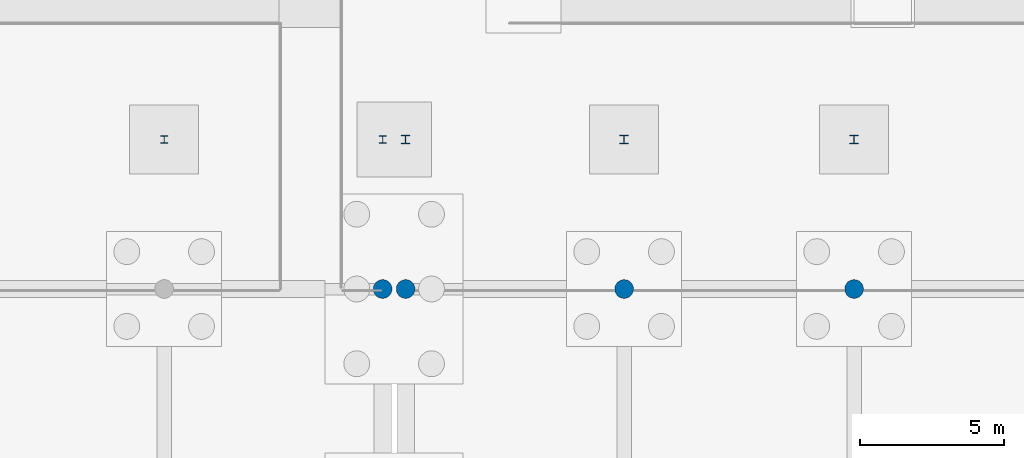
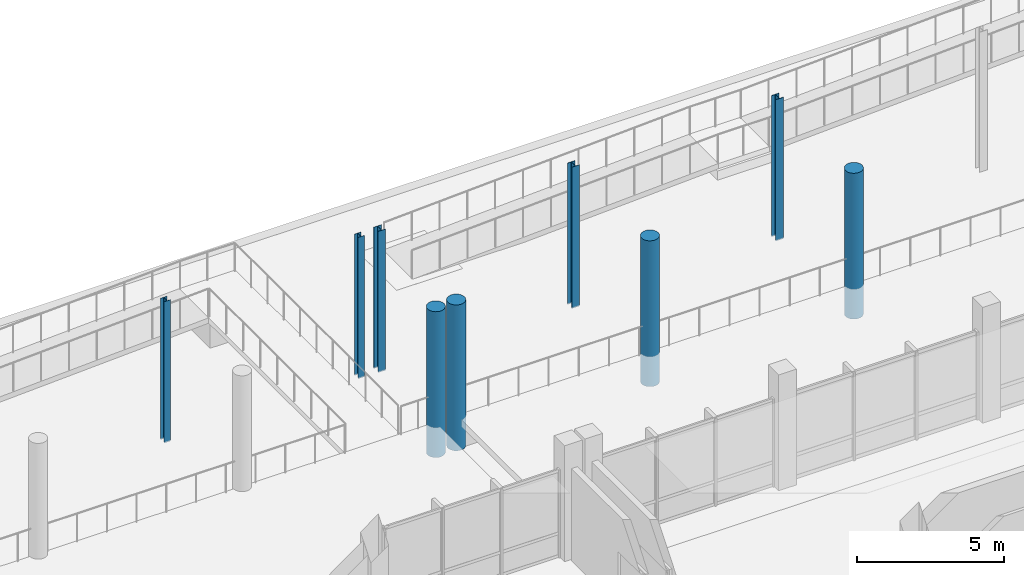
# One storey, part 16 of 72: 9 columns.
"""IFC4 building model written with IfcOpenShell, lengths in metres."""

from ifc_helpers import new_model, si_unit, direction, frame, origin, origin_2d, place, context, subcontext, project, spatial, circle, i_section, extrude, material, material_profile, profile_set, type_object, element, save


model = new_model("IFC4")

# Units and contexts
model_context = context("Model", 3, precision=1e-05, world=origin(), true_north=direction((0.0, 1.0)))
body_context = subcontext(model_context, "Body", "Model", "MODEL_VIEW")
ifc_project = project(units=[si_unit("LENGTHUNIT", "METRE"), si_unit("AREAUNIT", "SQUARE_METRE"), si_unit("VOLUMEUNIT", "CUBIC_METRE"), si_unit("PLANEANGLEUNIT", "RADIAN"), si_unit("MASSUNIT", "GRAM", prefix="KILO"), si_unit("THERMODYNAMICTEMPERATUREUNIT", "KELVIN"), si_unit("POWERUNIT", "WATT")], contexts=[model_context])

# Site, building, storey
site_placement = place(None, origin())
site = spatial("IfcSite", under=ifc_project, at=site_placement, CompositionType="ELEMENT")
building_placement = place(site_placement, origin())
building = spatial("IfcBuilding", under=site, at=building_placement, Name="Kronsvod Quay Wholesale Market", CompositionType="ELEMENT")
storey_placement = place(building_placement, origin())
storey = spatial("IfcBuildingStorey", under=building, at=storey_placement, Name="L00", CompositionType="ELEMENT", Elevation=0.0)

# Columns
ifc_material_1 = material(Name="Precast concrete C40/50", Category="concrete")
ifc_material_profile_1 = material_profile(ifc_material_1, circle(Radius=0.324951171875, at=origin_2d()), Name="PCPIL650D")
ifc_profile_set_1 = profile_set([ifc_material_profile_1], Name="Precast concrete C40/50")
column_type_1 = type_object("IfcColumnType", Name="Col_Pilotis650D", PredefinedType="COLUMN", material=ifc_profile_set_1)
for number, where, z_axis, x_axis, name in (
    (1, (63.60009765625, 126.0, -1.25), (0.0, 0.0, 1.0), (1.0, 0.0, 0.0), "COLG-L00-636-1260"),
    (2, (64.39990234375, 126.0, -1.25), (0.0, 0.0, 1.0), (1.0, 0.0, 0.0), "COLG-L00-644-1260"),
    (3, (72.0, 126.0, -1.25), (0.0, 0.0, 1.0), (1.0, 0.0, 0.0), "COLG-L00-720-1260"),
    (4, (80.0, 126.0, -1.25), (0.0, 0.0, 1.0), (1.0, 0.0, 0.0), "COLG-L00-800-1260"),
):
    element("IfcColumn", number, at=place(storey_placement, frame(where, z_axis=z_axis, x_axis=x_axis)), inside=storey, type_object=column_type_1, Name=name, PredefinedType="COLUMN", context=body_context, shape_type="SweptSolid", body=[
        extrude(circle(Radius=0.324951171875, at=origin_2d()), origin(), (0.0, 0.0, 1.0), 6.050048828125),
    ])
ifc_material_2 = material(Name="Steel S355", Category="steel")
ifc_material_profile_2 = material_profile(ifc_material_2, i_section(OverallWidth=0.2490234375, OverallDepth=0.24609375, WebThickness=0.008056640625, FlangeThickness=0.011962890625, FilletRadius=0.014892578125, at=origin_2d()), Name="25K1")
ifc_profile_set_2 = profile_set([ifc_material_profile_2], Name="Steel S355")
column_type_2 = type_object("IfcColumnType", Name="Col_Steel25K1", PredefinedType="COLUMN", material=ifc_profile_set_2)
for number, where, z_axis, x_axis, name in (
    (5, (56.0, 131.199951171875, -1.25), (0.0, 0.0, 1.0), (1.0, 0.0, 0.0), "SCOL-CAN-L00-04"),
    (6, (63.60009765625, 131.199951171875, -1.25), (0.0, 0.0, 1.0), (1.0, 0.0, 0.0), "SCOL-CAN-L00-05"),
):
    element("IfcColumn", number, at=place(storey_placement, frame(where, z_axis=z_axis, x_axis=x_axis)), inside=storey, type_object=column_type_2, Name=name, PredefinedType="COLUMN", context=body_context, shape_type="SweptSolid", body=[
        extrude(i_section(OverallWidth=0.2490234375, OverallDepth=0.24609375, WebThickness=0.008056640625, FlangeThickness=0.011962890625, FilletRadius=0.014892578125, at=origin_2d()), origin(), (0.0, 0.0, 1.0), 5.860107421875),
    ])
ifc_material_3 = material(Name="Steel S355", Category="steel")
ifc_material_profile_3 = material_profile(ifc_material_3, i_section(OverallWidth=0.299072265625, OverallDepth=0.298095703125, WebThickness=0.009033203125, FlangeThickness=0.013916015625, FilletRadius=0.01806640625, at=origin_2d()), Name="30K1")
ifc_profile_set_3 = profile_set([ifc_material_profile_3], Name="Steel S355")
column_type_3 = type_object("IfcColumnType", Name="Col_Steel30K1", PredefinedType="COLUMN", material=ifc_profile_set_3)
for number, where, z_axis, x_axis, name in (
    (7, (64.39990234375, 131.199951171875, -1.25), (0.0, 0.0, 1.0), (1.0, 0.0, 0.0), "SCOL-CAN-L00-06"),
    (8, (72.0, 131.199951171875, -1.25), (0.0, 0.0, 1.0), (1.0, 0.0, 0.0), "SCOL-CAN-L00-07"),
    (9, (80.0, 131.199951171875, -1.25), (0.0, 0.0, 1.0), (1.0, 0.0, 0.0), "SCOL-CAN-L00-08"),
):
    element("IfcColumn", number, at=place(storey_placement, frame(where, z_axis=z_axis, x_axis=x_axis)), inside=storey, type_object=column_type_3, Name=name, PredefinedType="COLUMN", context=body_context, shape_type="SweptSolid", body=[
        extrude(i_section(OverallWidth=0.299072265625, OverallDepth=0.298095703125, WebThickness=0.009033203125, FlangeThickness=0.013916015625, FilletRadius=0.01806640625, at=origin_2d()), origin(), (0.0, 0.0, 1.0), 5.860107421875),
    ])

save(model, "model.ifc")
